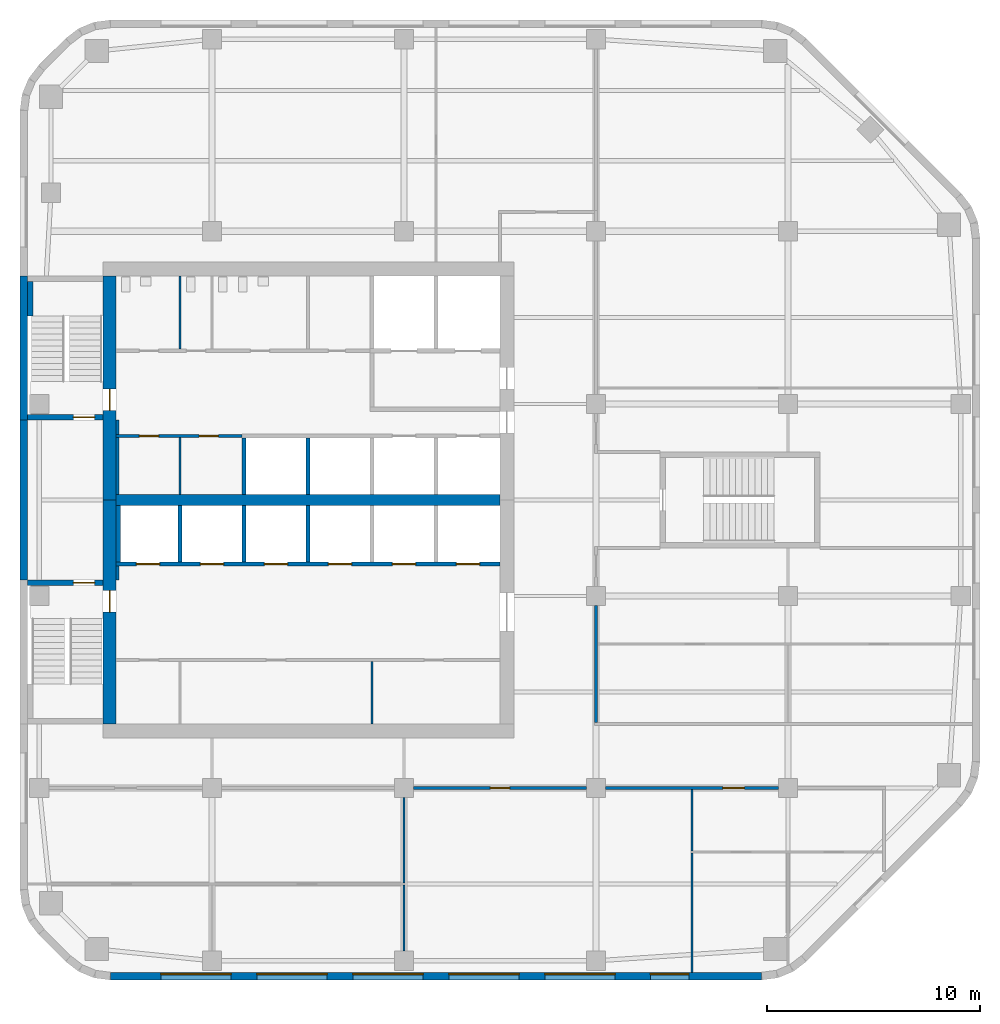
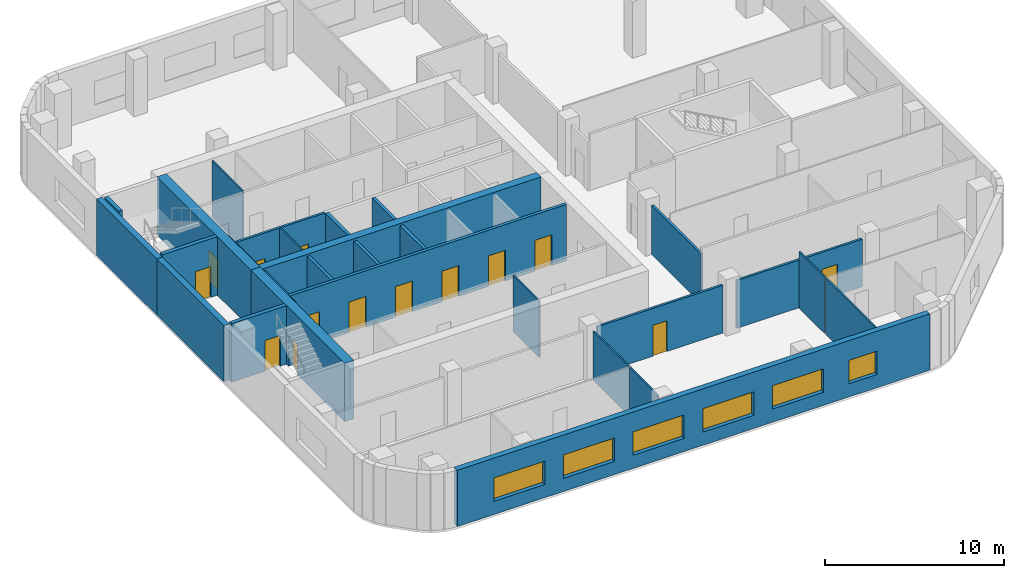
# One storey, part 3 of 7: 30 walls, 14 doors, 6 windows, 20 openings.
"""IFC4 building model written with IfcOpenShell, lengths in metres."""

import ifcopenshell
import ifcopenshell.guid

model = None  # the IFC model being written
_history = None  # IfcOwnerHistory: only IFC2X3 demands one
_inside = {}  # id of a spatial element -> (the spatial element, [elements in it])
_under = {}  # id of a project, library or spatial element -> (it, [spatial elements below it])
_declared = {}  # id of a project -> (the project, [libraries it declares])
_typed = {}  # id of a type object -> (the type object, [elements of that type])
_made_of = {}  # id of a material, layer set ... -> (it, [elements and type objects made of it])


def new_model(schema):
    """Start an empty IFC model of exactly this schema.

    Asked for "IFC4X3", IfcOpenShell would pick the latest addendum, in which some entities
    have other attributes; the version numbers below select the first issue.
    IFC2X3 requires an IfcOwnerHistory on every rooted entity: one is made here for all.
    """
    global model, _history
    if schema == "IFC4X3":
        model = ifcopenshell.file(schema_version=(4, 3, 0, 0))
    else:
        model = ifcopenshell.file(schema=schema)
    _inside.clear()
    _under.clear()
    _declared.clear()
    _typed.clear()
    _made_of.clear()
    _history = None
    if model.schema == "IFC2X3":
        org = make("IfcOrganization", Name="unknown")
        user = make(
            "IfcPersonAndOrganization",
            ThePerson=make("IfcPerson", FamilyName="unknown"),
            TheOrganization=org,
        )
        app = make(
            "IfcApplication",
            ApplicationDeveloper=org,
            Version="unknown",
            ApplicationFullName="unknown",
            ApplicationIdentifier="unknown",
        )
        _history = make(
            "IfcOwnerHistory",
            OwningUser=user,
            OwningApplication=app,
            ChangeAction="ADDED",
            CreationDate=0,
        )
    return model


def make(cls, **values):
    """One entity of the class cls with the attributes given. An attribute that is None is left unset."""
    return model.create_entity(
        cls, **{name: value for name, value in values.items() if value is not None}
    )


def rooted(cls, **values):
    """An entity with a GlobalId (a new one), such as an element, a storey or a relation."""
    return make(cls, GlobalId=ifcopenshell.guid.new(), OwnerHistory=_history, **values)


def si_unit(unit_type, name, prefix=None):
    """IfcSIUnit, for example si_unit("LENGTHUNIT", "METRE", prefix="MILLI")."""
    return make("IfcSIUnit", UnitType=unit_type, Prefix=prefix, Name=name)


def assignment(units):
    """IfcUnitAssignment: the units of a project."""
    return None if units is None else make("IfcUnitAssignment", Units=units)


def point(xyz):
    """IfcCartesianPoint."""
    return None if xyz is None else make("IfcCartesianPoint", Coordinates=xyz)


def direction(xyz):
    """IfcDirection."""
    return None if xyz is None else make("IfcDirection", DirectionRatios=xyz)


def frame(location, z_axis=None, x_axis=None):
    """IfcAxis2Placement3D, a coordinate frame: its origin and axes. An axis left out is left unset."""
    return make(
        "IfcAxis2Placement3D",
        Location=point(location),
        Axis=direction(z_axis),
        RefDirection=direction(x_axis),
    )


def frame_2d(location, x_axis=None):
    """IfcAxis2Placement2D, a coordinate frame in the plane: its origin and x axis."""
    return make(
        "IfcAxis2Placement2D", Location=point(location), RefDirection=direction(x_axis)
    )


def origin():
    """The frame at (0, 0, 0) with its axes left unset."""
    return frame((0.0, 0.0, 0.0))


def place(relative_to, where):
    """IfcLocalPlacement: puts the frame where relative to a parent placement (None: the world)."""
    return make(
        "IfcLocalPlacement", PlacementRelTo=relative_to, RelativePlacement=where
    )


def context(
    kind, dimensions, precision=None, world=None, true_north=None, identifier=None
):
    """IfcGeometricRepresentationContext, for example the 3D "Model" context."""
    return make(
        "IfcGeometricRepresentationContext",
        ContextIdentifier=identifier,
        ContextType=kind,
        CoordinateSpaceDimension=dimensions,
        Precision=precision,
        WorldCoordinateSystem=world,
        TrueNorth=true_north,
    )


def subcontext(parent, identifier, kind, view, scale=None):
    """IfcGeometricRepresentationSubContext, for example "Body" below "Model"."""
    return make(
        "IfcGeometricRepresentationSubContext",
        ContextIdentifier=identifier,
        ContextType=kind,
        ParentContext=parent,
        TargetScale=scale,
        TargetView=view,
    )


def project(units=None, contexts=None):
    """IfcProject with its units and contexts."""
    return rooted(
        "IfcProject",
        Name="project",
        RepresentationContexts=contexts,
        UnitsInContext=assignment(units),
    )


def spatial(cls, under=None, at=None, **own):
    """A site, building, storey or space (cls), placed at a placement, below another one or the project."""
    s = rooted(cls, ObjectPlacement=at, **own)
    if under is not None:
        _under.setdefault(under.id(), (under, []))[1].append(s)
    return s


def profile(cls, at=None, kind="AREA", **sizes):
    """A parametric profile (cls). Its sizes go by their IFC names, for example OverallWidth=200.0."""
    return make(cls, ProfileType=kind, Position=at, **sizes)


def rectangle(**sizes):
    """IfcRectangleProfileDef."""
    return profile("IfcRectangleProfileDef", **sizes)


def extrude(swept, where, along, depth):
    """IfcExtrudedAreaSolid: the profile swept, set in the frame where, extruded along a direction by depth."""
    return make(
        "IfcExtrudedAreaSolid",
        SweptArea=swept,
        Position=where,
        ExtrudedDirection=direction(along),
        Depth=depth,
    )


def shape(context_of_items, identifier, shape_type, items):
    """IfcShapeRepresentation: the items that make up one representation, for example the "Body"."""
    return make(
        "IfcShapeRepresentation",
        ContextOfItems=context_of_items,
        RepresentationIdentifier=identifier,
        RepresentationType=shape_type,
        Items=items,
    )


def material(Name=None, Category=None):
    """IfcMaterial."""
    return make("IfcMaterial", Name=Name, Category=Category)


def layer(
    of_material, thickness, ventilated=None, Name=None, Category=None, Priority=None
):
    """IfcMaterialLayer: one layer of a wall or slab, of a material (None: an air gap)."""
    return make(
        "IfcMaterialLayer",
        Material=of_material,
        LayerThickness=thickness,
        IsVentilated=ventilated,
        Name=Name,
        Category=Category,
        Priority=Priority,
    )


def layer_set(layers, Name=None):
    """IfcMaterialLayerSet."""
    return make("IfcMaterialLayerSet", MaterialLayers=layers, LayerSetName=Name)


def made_of(thing, what):
    """Note that an element or type object is made of a material, layer set ...; save() writes the relation."""
    if what is not None:
        _made_of.setdefault(what.id(), (what, []))[1].append(thing)
    return thing


def type_object(cls, material=None, **own):
    """A type object (cls), such as IfcWallType, which elements share."""
    return made_of(rooted(cls, **own), material)


def element(
    cls,
    number,
    at=None,
    inside=None,
    cuts=None,
    type_object=None,
    material=None,
    context=None,
    identifier="Body",
    shape_type=None,
    held_by="IfcProductDefinitionShape",
    body=None,
    shapes=None,
    **own,
):
    """One element of the class cls, such as IfcWall. Its Tag is "e" and its number.

    at: its placement. inside: the storey or other place that contains it. cuts: it is an
    opening in that element (IfcRelVoidsElement). A single representation is given by context,
    identifier, shape_type and body (its items); several are given by shapes. held_by: the class
    of the entity that holds the representations. save() writes the other relations.
    """
    e = rooted(cls, Tag="e%d" % number, ObjectPlacement=at, **own)
    if body is not None:
        shapes = [shape(context, identifier, shape_type, body)]
    if shapes is not None:
        e.Representation = make(held_by, Representations=shapes)
    if inside is not None:
        _inside.setdefault(inside.id(), (inside, []))[1].append(e)
    if cuts is not None:
        rooted(
            "IfcRelVoidsElement", RelatingBuildingElement=cuts, RelatedOpeningElement=e
        )
    if type_object is not None:
        _typed.setdefault(type_object.id(), (type_object, []))[1].append(e)
    return made_of(e, material)


def fill(opening, filler):
    """IfcRelFillsElement: the door or window that sits in an opening."""
    return rooted(
        "IfcRelFillsElement",
        RelatingOpeningElement=opening,
        RelatedBuildingElement=filler,
    )


def aggregate(whole, parts):
    """IfcRelAggregates: a whole, such as a stair, and the parts it consists of."""
    return rooted("IfcRelAggregates", RelatingObject=whole, RelatedObjects=parts)


def save(model, path):
    """Write the relations noted so far, then the file.

    IfcRelAggregates (storeys below a building ...), IfcRelContainedInSpatialStructure (elements
    in a storey), IfcRelDefinesByType, IfcRelAssociatesMaterial and IfcRelDeclares: one each for
    every whole, place, type object, material and project.
    """
    for whole, parts in _under.values():
        aggregate(whole, parts)
    for where, things in _inside.values():
        rooted(
            "IfcRelContainedInSpatialStructure",
            RelatedElements=things,
            RelatingStructure=where,
        )
    for kind, things in _typed.values():
        rooted("IfcRelDefinesByType", RelatedObjects=things, RelatingType=kind)
    for what, things in _made_of.values():
        rooted("IfcRelAssociatesMaterial", RelatedObjects=things, RelatingMaterial=what)
    for by, libraries in _declared.values():
        rooted("IfcRelDeclares", RelatingContext=by, RelatedDefinitions=libraries)
    model.write(path)


model = new_model("IFC4")

# Units and contexts
model_context = context("Model", 3, precision=1e-05, world=origin(), true_north=direction((0.0, 1.0)))
body_context = subcontext(model_context, "Body", "Model", "MODEL_VIEW")
ifc_project = project(units=[si_unit("LENGTHUNIT", "METRE"), si_unit("AREAUNIT", "SQUARE_METRE"), si_unit("VOLUMEUNIT", "CUBIC_METRE"), si_unit("PLANEANGLEUNIT", "RADIAN"), si_unit("MASSUNIT", "GRAM", prefix="KILO")], contexts=[model_context])

# Site, building, storey
site_placement = place(None, origin())
site = spatial("IfcSite", under=ifc_project, at=site_placement, CompositionType="ELEMENT")
building_placement = place(site_placement, origin())
building = spatial("IfcBuilding", under=site, at=building_placement, Name="Cinnabar Reach Civic Tower", CompositionType="ELEMENT")
storey_placement = place(building_placement, frame((0.0, 0.0, 169.0)))
storey = spatial("IfcBuildingStorey", under=building, at=storey_placement, Name="L40", CompositionType="ELEMENT", Elevation=169.0)

# Wall, openings, windows
ifc_material_1 = material(Name="Facing brick with insulated backing", Category="masonry")
ifc_layer_1 = layer(ifc_material_1, 0.36)
ifc_layer_set_1 = layer_set([ifc_layer_1], Name="Brick pier and spandrel wall")
wall_type_1 = type_object("IfcWallType", Name="Brick pier and spandrel wall", PredefinedType="STANDARD", material=ifc_layer_set_1)
wall_1_placement = place(storey_placement, frame((4.2426, 9.18, 0.0), z_axis=(0.0, 0.0, 1.0), x_axis=(1.0, 0.0, 0.0)))
wall_1 = element("IfcWall", 1, at=wall_1_placement, inside=storey, type_object=wall_type_1, Name="Brick facade wall", PredefinedType="STANDARD", context=body_context, shape_type="SweptSolid", body=[
    extrude(rectangle(XDim=30.5148, YDim=0.36, at=frame_2d((15.2574, 0.0))), origin(), (0.0, 0.0, 1.0), 3.85),
])
opening_1_placement = place(wall_1_placement, frame((2.3574, 0.0, 0.9)))
opening_1 = element("IfcOpeningElement", 2, at=opening_1_placement, cuts=wall_1, Name="Opening W1821", PredefinedType="OPENING", context=body_context, shape_type="SweptSolid", body=[
    extrude(rectangle(XDim=3.3, YDim=1.6, at=frame_2d((1.65, 0.8))), frame((0.0, 0.19, 0.0), z_axis=(0.0, -1.0, 0.0), x_axis=(1.0, 0.0, 0.0)), (0.0, 0.0, 1.0), 0.38),
])
opening_2_placement = place(wall_1_placement, frame((6.8574, 0.0, 0.9)))
opening_2 = element("IfcOpeningElement", 3, at=opening_2_placement, cuts=wall_1, Name="Opening W1822", PredefinedType="OPENING", context=body_context, shape_type="SweptSolid", body=[
    extrude(rectangle(XDim=3.3, YDim=1.6, at=frame_2d((1.65, 0.8))), frame((0.0, 0.19, 0.0), z_axis=(0.0, -1.0, 0.0), x_axis=(1.0, 0.0, 0.0)), (0.0, 0.0, 1.0), 0.38),
])
opening_3_placement = place(wall_1_placement, frame((11.3574, 0.0, 0.9)))
opening_3 = element("IfcOpeningElement", 4, at=opening_3_placement, cuts=wall_1, Name="Opening W1823", PredefinedType="OPENING", context=body_context, shape_type="SweptSolid", body=[
    extrude(rectangle(XDim=3.3, YDim=1.6, at=frame_2d((1.65, 0.8))), frame((0.0, 0.19, 0.0), z_axis=(0.0, -1.0, 0.0), x_axis=(1.0, 0.0, 0.0)), (0.0, 0.0, 1.0), 0.38),
])
opening_4_placement = place(wall_1_placement, frame((15.8574, 0.0, 0.9)))
opening_4 = element("IfcOpeningElement", 5, at=opening_4_placement, cuts=wall_1, Name="Opening W1824", PredefinedType="OPENING", context=body_context, shape_type="SweptSolid", body=[
    extrude(rectangle(XDim=3.3, YDim=1.6, at=frame_2d((1.65, 0.8))), frame((0.0, 0.19, 0.0), z_axis=(0.0, -1.0, 0.0), x_axis=(1.0, 0.0, 0.0)), (0.0, 0.0, 1.0), 0.38),
])
opening_5_placement = place(wall_1_placement, frame((20.3574, 0.0, 0.9)))
opening_5 = element("IfcOpeningElement", 6, at=opening_5_placement, cuts=wall_1, Name="Opening W1825", PredefinedType="OPENING", context=body_context, shape_type="SweptSolid", body=[
    extrude(rectangle(XDim=3.3, YDim=1.6, at=frame_2d((1.65, 0.8))), frame((0.0, 0.19, 0.0), z_axis=(0.0, -1.0, 0.0), x_axis=(1.0, 0.0, 0.0)), (0.0, 0.0, 1.0), 0.38),
])
opening_6_placement = place(wall_1_placement, frame((25.3074, 0.0, 0.9)))
opening_6 = element("IfcOpeningElement", 7, at=opening_6_placement, cuts=wall_1, Name="Opening W1826", PredefinedType="OPENING", context=body_context, shape_type="SweptSolid", body=[
    extrude(rectangle(XDim=1.8, YDim=1.6, at=frame_2d((0.9, 0.8))), frame((0.0, 0.19, 0.0), z_axis=(0.0, -1.0, 0.0), x_axis=(1.0, 0.0, 0.0)), (0.0, 0.0, 1.0), 0.38),
])
ifc_material_2 = material(Name="Clear double glazing in aluminium frame", Category="aluminium")
window_type_1 = type_object("IfcWindowType", Name="Deep-set window A", PartitioningType="SINGLE_PANEL", PredefinedType="WINDOW", material=ifc_material_2)
window_1_placement = place(opening_1_placement, origin())
window_1 = element("IfcWindow", 8, at=window_1_placement, inside=storey, type_object=window_type_1, Name="Window south face", OverallHeight=1.6, OverallWidth=3.3, PartitioningType="SINGLE_PANEL", PredefinedType="WINDOW", context=body_context, shape_type="SweptSolid", body=[
    extrude(rectangle(XDim=3.3, YDim=1.6, at=frame_2d((1.65, 0.8))), frame((0.0, 0.13, 0.0), z_axis=(0.0, -1.0, 0.0), x_axis=(1.0, 0.0, 0.0)), (0.0, 0.0, 1.0), 0.06),
])
fill(opening_1, window_1)
window_2_placement = place(opening_2_placement, origin())
window_2 = element("IfcWindow", 9, at=window_2_placement, inside=storey, type_object=window_type_1, Name="Window south face", OverallHeight=1.6, OverallWidth=3.3, PartitioningType="SINGLE_PANEL", PredefinedType="WINDOW", context=body_context, shape_type="SweptSolid", body=[
    extrude(rectangle(XDim=3.3, YDim=1.6, at=frame_2d((1.65, 0.8))), frame((0.0, 0.13, 0.0), z_axis=(0.0, -1.0, 0.0), x_axis=(1.0, 0.0, 0.0)), (0.0, 0.0, 1.0), 0.06),
])
fill(opening_2, window_2)
window_3_placement = place(opening_3_placement, origin())
window_3 = element("IfcWindow", 10, at=window_3_placement, inside=storey, type_object=window_type_1, Name="Window south face", OverallHeight=1.6, OverallWidth=3.3, PartitioningType="SINGLE_PANEL", PredefinedType="WINDOW", context=body_context, shape_type="SweptSolid", body=[
    extrude(rectangle(XDim=3.3, YDim=1.6, at=frame_2d((1.65, 0.8))), frame((0.0, 0.13, 0.0), z_axis=(0.0, -1.0, 0.0), x_axis=(1.0, 0.0, 0.0)), (0.0, 0.0, 1.0), 0.06),
])
fill(opening_3, window_3)
window_4_placement = place(opening_4_placement, origin())
window_4 = element("IfcWindow", 11, at=window_4_placement, inside=storey, type_object=window_type_1, Name="Window south face", OverallHeight=1.6, OverallWidth=3.3, PartitioningType="SINGLE_PANEL", PredefinedType="WINDOW", context=body_context, shape_type="SweptSolid", body=[
    extrude(rectangle(XDim=3.3, YDim=1.6, at=frame_2d((1.65, 0.8))), frame((0.0, 0.13, 0.0), z_axis=(0.0, -1.0, 0.0), x_axis=(1.0, 0.0, 0.0)), (0.0, 0.0, 1.0), 0.06),
])
fill(opening_4, window_4)
window_5_placement = place(opening_5_placement, origin())
window_5 = element("IfcWindow", 12, at=window_5_placement, inside=storey, type_object=window_type_1, Name="Window south face", OverallHeight=1.6, OverallWidth=3.3, PartitioningType="SINGLE_PANEL", PredefinedType="WINDOW", context=body_context, shape_type="SweptSolid", body=[
    extrude(rectangle(XDim=3.3, YDim=1.6, at=frame_2d((1.65, 0.8))), frame((0.0, 0.13, 0.0), z_axis=(0.0, -1.0, 0.0), x_axis=(1.0, 0.0, 0.0)), (0.0, 0.0, 1.0), 0.06),
])
fill(opening_5, window_5)
window_type_2 = type_object("IfcWindowType", Name="Deep-set window D", PartitioningType="SINGLE_PANEL", PredefinedType="WINDOW", material=ifc_material_2)
window_6_placement = place(opening_6_placement, origin())
window_6 = element("IfcWindow", 13, at=window_6_placement, inside=storey, type_object=window_type_2, Name="Window south face", OverallHeight=1.6, OverallWidth=1.8, PartitioningType="SINGLE_PANEL", PredefinedType="WINDOW", context=body_context, shape_type="SweptSolid", body=[
    extrude(rectangle(XDim=1.8, YDim=1.6, at=frame_2d((0.9, 0.8))), frame((0.0, 0.13, 0.0), z_axis=(0.0, -1.0, 0.0), x_axis=(1.0, 0.0, 0.0)), (0.0, 0.0, 1.0), 0.06),
])
fill(opening_6, window_6)

# Walls
wall_2_placement = place(storey_placement, frame((0.18, 42.0, 0.0), z_axis=(0.0, 0.0, 1.0), x_axis=(0.0, -1.0, 0.0)))
element("IfcWall", 14, at=wall_2_placement, inside=storey, type_object=wall_type_1, Name="Brick facade wall", PredefinedType="STANDARD", context=body_context, shape_type="SweptSolid", body=[
    extrude(rectangle(XDim=6.75, YDim=0.36, at=frame_2d((3.375, 0.0))), origin(), (0.0, 0.0, 1.0), 3.85),
])
wall_3_placement = place(storey_placement, frame((0.18, 35.25, 0.0), z_axis=(0.0, 0.0, 1.0), x_axis=(0.0, -1.0, 0.0)))
element("IfcWall", 15, at=wall_3_placement, inside=storey, type_object=wall_type_1, Name="Brick facade wall", PredefinedType="STANDARD", context=body_context, shape_type="SweptSolid", body=[
    extrude(rectangle(XDim=7.5, YDim=0.36, at=frame_2d((3.75, 0.0))), origin(), (0.0, 0.0, 1.0), 3.85),
])
ifc_material_3 = material(Name="Concrete C60", Category="concrete")
ifc_layer_2 = layer(ifc_material_3, 0.5)
ifc_layer_set_2 = layer_set([ifc_layer_2], Name="Core wall 500 EI 180")
wall_type_2 = type_object("IfcWallType", Name="Core wall 500 EI 180", PredefinedType="SOLIDWALL", material=ifc_layer_set_2)
wall_4_placement = place(storey_placement, frame((4.5, 31.5, 0.0), z_axis=(0.0, 0.0, 1.0), x_axis=(1.0, 0.0, 0.0)))
element("IfcWall", 16, at=wall_4_placement, inside=storey, type_object=wall_type_2, Name="Core spine wall T1 L40", PredefinedType="SOLIDWALL", context=body_context, shape_type="SweptSolid", body=[
    extrude(rectangle(XDim=18.0, YDim=0.5, at=frame_2d((9.0, 0.0))), origin(), (0.0, 0.0, 1.0), 4.0),
])

# Wall, opening, door
ifc_material_4 = material(Name="Concrete C70", Category="concrete")
ifc_layer_3 = layer(ifc_material_4, 0.6)
ifc_layer_set_3 = layer_set([ifc_layer_3], Name="Core wall 600 EI 180")
wall_type_3 = type_object("IfcWallType", Name="Core wall 600 EI 180", PredefinedType="SOLIDWALL", material=ifc_layer_set_3)
wall_5_placement = place(storey_placement, frame((4.2, 42.0, 0.0), z_axis=(0.0, 0.0, 1.0), x_axis=(0.0, -1.0, 0.0)))
wall_5 = element("IfcWall", 17, at=wall_5_placement, inside=storey, type_object=wall_type_3, Name="Core wall T1 L40 W", PredefinedType="SOLIDWALL", context=body_context, shape_type="SweptSolid", body=[
    extrude(rectangle(XDim=10.5, YDim=0.6, at=frame_2d((5.25, 0.0))), origin(), (0.0, 0.0, 1.0), 4.0),
])
opening_7_placement = place(wall_5_placement, frame((5.3, 0.0, 0.0)))
opening_7 = element("IfcOpeningElement", 18, at=opening_7_placement, cuts=wall_5, Name="Opening D4628", PredefinedType="OPENING", context=body_context, shape_type="SweptSolid", body=[
    extrude(rectangle(XDim=1.0, YDim=2.1, at=frame_2d((0.5, 1.05))), frame((0.0, 0.31, 0.0), z_axis=(0.0, -1.0, 0.0), x_axis=(1.0, 0.0, 0.0)), (0.0, 0.0, 1.0), 0.62),
])
ifc_material_5 = material(Name="Timber door leaf in steel frame", Category="steel")
door_type_1 = type_object("IfcDoorType", Name="Stair door 1000 x 2100 T1", OperationType="SINGLE_SWING_LEFT", PredefinedType="DOOR", material=ifc_material_5)
door_1_placement = place(opening_7_placement, frame((1.0, 0.0, 0.0), z_axis=(0.0, 0.0, 1.0), x_axis=(-1.0, 0.0, 0.0)))
door_1 = element("IfcDoor", 19, at=door_1_placement, inside=storey, type_object=door_type_1, Name="Door D4628", OperationType="SINGLE_SWING_LEFT", OverallHeight=2.1, OverallWidth=1.0, PredefinedType="DOOR", context=body_context, shape_type="SweptSolid", body=[
    extrude(rectangle(XDim=1.0, YDim=2.1, at=frame_2d((0.5, 1.05))), frame((0.0, 0.025, 0.0), z_axis=(0.0, -1.0, 0.0), x_axis=(1.0, 0.0, 0.0)), (0.0, 0.0, 1.0), 0.05),
])
fill(opening_7, door_1)

wall_6_placement = place(storey_placement, frame((4.2, 31.5, 0.0), z_axis=(0.0, 0.0, 1.0), x_axis=(0.0, -1.0, 0.0)))
wall_6 = element("IfcWall", 20, at=wall_6_placement, inside=storey, type_object=wall_type_3, Name="Core wall T1 L40 W2", PredefinedType="SOLIDWALL", context=body_context, shape_type="SweptSolid", body=[
    extrude(rectangle(XDim=10.5, YDim=0.6, at=frame_2d((5.25, 0.0))), origin(), (0.0, 0.0, 1.0), 4.0),
])
opening_8_placement = place(wall_6_placement, frame((4.25, 0.0, 0.0)))
opening_8 = element("IfcOpeningElement", 21, at=opening_8_placement, cuts=wall_6, Name="Opening D4626", PredefinedType="OPENING", context=body_context, shape_type="SweptSolid", body=[
    extrude(rectangle(XDim=1.0, YDim=2.1, at=frame_2d((0.5, 1.05))), frame((0.0, 0.31, 0.0), z_axis=(0.0, -1.0, 0.0), x_axis=(1.0, 0.0, 0.0)), (0.0, 0.0, 1.0), 0.62),
])
door_2_placement = place(opening_8_placement, frame((1.0, 0.0, 0.0), z_axis=(0.0, 0.0, 1.0), x_axis=(-1.0, 0.0, 0.0)))
door_2 = element("IfcDoor", 22, at=door_2_placement, inside=storey, type_object=door_type_1, Name="Door D4626", OperationType="SINGLE_SWING_RIGHT", OverallHeight=2.1, OverallWidth=1.0, PredefinedType="DOOR", context=body_context, shape_type="SweptSolid", body=[
    extrude(rectangle(XDim=1.0, YDim=2.1, at=frame_2d((0.5, 1.05))), frame((0.0, 0.025, 0.0), z_axis=(0.0, -1.0, 0.0), x_axis=(1.0, 0.0, 0.0)), (0.0, 0.0, 1.0), 0.05),
])
fill(opening_8, door_2)

ifc_material_6 = material(Name="Gypsum board on steel studs, double layer", Category="steel")
ifc_layer_4 = layer(ifc_material_6, 0.15)
ifc_layer_set_4 = layer_set([ifc_layer_4], Name="Corridor wall 150 T1")
wall_type_4 = type_object("IfcWallType", Name="Corridor wall 150 T1", PredefinedType="PARTITIONING", material=ifc_layer_set_4)
wall_7_placement = place(storey_placement, frame((18.45, 18.0, 0.0), z_axis=(0.0, 0.0, 1.0), x_axis=(1.0, 0.0, 0.0)))
wall_7 = element("IfcWall", 23, at=wall_7_placement, inside=storey, type_object=wall_type_4, Name="Corridor wall 20", PredefinedType="PARTITIONING", context=body_context, shape_type="SweptSolid", body=[
    extrude(rectangle(XDim=8.1, YDim=0.15, at=frame_2d((4.05, 0.0))), origin(), (0.0, 0.0, 1.0), 3.262),
])
opening_9_placement = place(wall_7_placement, frame((3.6, 0.0, 0.0)))
opening_9 = element("IfcOpeningElement", 24, at=opening_9_placement, cuts=wall_7, Name="Opening D4661", PredefinedType="OPENING", context=body_context, shape_type="SweptSolid", body=[
    extrude(rectangle(XDim=0.9, YDim=2.1, at=frame_2d((0.45, 1.05))), frame((0.0, 0.085, 0.0), z_axis=(0.0, -1.0, 0.0), x_axis=(1.0, 0.0, 0.0)), (0.0, 0.0, 1.0), 0.17),
])
door_type_2 = type_object("IfcDoorType", Name="Single swing door 900 x 2100 corridor T1", OperationType="SINGLE_SWING_LEFT", PredefinedType="DOOR", material=ifc_material_5)
door_3_placement = place(opening_9_placement, frame((0.9, 0.0, 0.0), z_axis=(0.0, 0.0, 1.0), x_axis=(-1.0, 0.0, 0.0)))
door_3 = element("IfcDoor", 25, at=door_3_placement, inside=storey, type_object=door_type_2, Name="Door D4661", OperationType="SINGLE_SWING_RIGHT", OverallHeight=2.1, OverallWidth=0.9, PredefinedType="DOOR", context=body_context, shape_type="SweptSolid", body=[
    extrude(rectangle(XDim=0.9, YDim=2.1, at=frame_2d((0.45, 1.05))), frame((0.0, 0.025, 0.0), z_axis=(0.0, -1.0, 0.0), x_axis=(1.0, 0.0, 0.0)), (0.0, 0.0, 1.0), 0.05),
])
fill(opening_9, door_3)

wall_8_placement = place(storey_placement, frame((27.45, 18.0, 0.0), z_axis=(0.0, 0.0, 1.0), x_axis=(1.0, 0.0, 0.0)))
wall_8 = element("IfcWall", 26, at=wall_8_placement, inside=storey, type_object=wall_type_4, Name="Corridor wall 21", PredefinedType="PARTITIONING", context=body_context, shape_type="SweptSolid", body=[
    extrude(rectangle(XDim=8.1, YDim=0.15, at=frame_2d((4.05, 0.0))), origin(), (0.0, 0.0, 1.0), 3.262),
])
opening_10_placement = place(wall_8_placement, frame((5.5, 0.0, 0.0)))
opening_10 = element("IfcOpeningElement", 27, at=opening_10_placement, cuts=wall_8, Name="Opening D4662", PredefinedType="OPENING", context=body_context, shape_type="SweptSolid", body=[
    extrude(rectangle(XDim=1.0, YDim=2.1, at=frame_2d((0.5, 1.05))), frame((0.0, 0.085, 0.0), z_axis=(0.0, -1.0, 0.0), x_axis=(1.0, 0.0, 0.0)), (0.0, 0.0, 1.0), 0.17),
])
door_type_3 = type_object("IfcDoorType", Name="Tenancy entrance door 1000 x 2100 T1", OperationType="SINGLE_SWING_LEFT", PredefinedType="DOOR", material=ifc_material_5)
door_4_placement = place(opening_10_placement, frame((1.0, 0.0, 0.0), z_axis=(0.0, 0.0, 1.0), x_axis=(-1.0, 0.0, 0.0)))
door_4 = element("IfcDoor", 28, at=door_4_placement, inside=storey, type_object=door_type_3, Name="Door D4662", OperationType="SINGLE_SWING_RIGHT", OverallHeight=2.1, OverallWidth=1.0, PredefinedType="DOOR", context=body_context, shape_type="SweptSolid", body=[
    extrude(rectangle(XDim=1.0, YDim=2.1, at=frame_2d((0.5, 1.05))), frame((0.0, 0.025, 0.0), z_axis=(0.0, -1.0, 0.0), x_axis=(1.0, 0.0, 0.0)), (0.0, 0.0, 1.0), 0.05),
])
fill(opening_10, door_4)

# Wall
wall_9_placement = place(storey_placement, frame((27.0, 21.075, 0.0), z_axis=(0.0, 0.0, 1.0), x_axis=(0.0, 1.0, 0.0)))
element("IfcWall", 29, at=wall_9_placement, inside=storey, type_object=wall_type_4, Name="Corridor wall 29", PredefinedType="PARTITIONING", context=body_context, shape_type="SweptSolid", body=[
    extrude(rectangle(XDim=5.475, YDim=0.15, at=frame_2d((2.7375, 0.0))), origin(), (0.0, 0.0, 1.0), 3.362),
])

# Wall, openings, doors
wall_10_placement = place(storey_placement, frame((4.5, 34.5, 0.0), z_axis=(0.0, 0.0, 1.0), x_axis=(1.0, 0.0, 0.0)))
wall_10 = element("IfcWall", 30, at=wall_10_placement, inside=storey, type_object=wall_type_4, Name="Corridor wall 31", PredefinedType="PARTITIONING", context=body_context, shape_type="SweptSolid", body=[
    extrude(rectangle(XDim=5.9, YDim=0.15, at=frame_2d((2.95, 0.0))), origin(), (0.0, 0.0, 1.0), 3.85),
])
opening_11_placement = place(wall_10_placement, frame((1.1, 0.0, 0.0)))
opening_11 = element("IfcOpeningElement", 31, at=opening_11_placement, cuts=wall_10, Name="Opening D4647", PredefinedType="OPENING", context=body_context, shape_type="SweptSolid", body=[
    extrude(rectangle(XDim=0.9, YDim=2.1, at=frame_2d((0.45, 1.05))), frame((0.0, 0.085, 0.0), z_axis=(0.0, -1.0, 0.0), x_axis=(1.0, 0.0, 0.0)), (0.0, 0.0, 1.0), 0.17),
])
opening_12_placement = place(wall_10_placement, frame((3.9, 0.0, 0.0)))
opening_12 = element("IfcOpeningElement", 32, at=opening_12_placement, cuts=wall_10, Name="Opening D4648", PredefinedType="OPENING", context=body_context, shape_type="SweptSolid", body=[
    extrude(rectangle(XDim=0.9, YDim=2.1, at=frame_2d((0.45, 1.05))), frame((0.0, 0.085, 0.0), z_axis=(0.0, -1.0, 0.0), x_axis=(1.0, 0.0, 0.0)), (0.0, 0.0, 1.0), 0.17),
])
door_5_placement = place(opening_11_placement, frame((0.9, 0.0, 0.0), z_axis=(0.0, 0.0, 1.0), x_axis=(-1.0, 0.0, 0.0)))
door_5 = element("IfcDoor", 33, at=door_5_placement, inside=storey, type_object=door_type_2, Name="Door D4647", OperationType="SINGLE_SWING_LEFT", OverallHeight=2.1, OverallWidth=0.9, PredefinedType="DOOR", context=body_context, shape_type="SweptSolid", body=[
    extrude(rectangle(XDim=0.9, YDim=2.1, at=frame_2d((0.45, 1.05))), frame((0.0, 0.025, 0.0), z_axis=(0.0, -1.0, 0.0), x_axis=(1.0, 0.0, 0.0)), (0.0, 0.0, 1.0), 0.05),
])
fill(opening_11, door_5)
door_6_placement = place(opening_12_placement, frame((0.9, 0.0, 0.0), z_axis=(0.0, 0.0, 1.0), x_axis=(-1.0, 0.0, 0.0)))
door_6 = element("IfcDoor", 34, at=door_6_placement, inside=storey, type_object=door_type_2, Name="Door D4648", OperationType="SINGLE_SWING_LEFT", OverallHeight=2.1, OverallWidth=0.9, PredefinedType="DOOR", context=body_context, shape_type="SweptSolid", body=[
    extrude(rectangle(XDim=0.9, YDim=2.1, at=frame_2d((0.45, 1.05))), frame((0.0, 0.025, 0.0), z_axis=(0.0, -1.0, 0.0), x_axis=(1.0, 0.0, 0.0)), (0.0, 0.0, 1.0), 0.05),
])
fill(opening_12, door_6)

# Walls
wall_11_placement = place(storey_placement, frame((4.575, 34.575, 0.0), z_axis=(0.0, 0.0, 1.0), x_axis=(0.0, 1.0, 0.0)))
element("IfcWall", 35, at=wall_11_placement, inside=storey, type_object=wall_type_4, Name="Corridor wall 34", PredefinedType="PARTITIONING", context=body_context, shape_type="SweptSolid", body=[
    extrude(rectangle(XDim=0.675, YDim=0.15, at=frame_2d((0.3375, 0.0))), origin(), (0.0, 0.0, 1.0), 3.85),
])
wall_12_placement = place(storey_placement, frame((4.575, 31.75, 0.0), z_axis=(0.0, 0.0, 1.0), x_axis=(0.0, 1.0, 0.0)))
element("IfcWall", 36, at=wall_12_placement, inside=storey, type_object=wall_type_4, Name="Corridor wall 35", PredefinedType="PARTITIONING", context=body_context, shape_type="SweptSolid", body=[
    extrude(rectangle(XDim=2.675, YDim=0.15, at=frame_2d((1.3375, 0.0))), origin(), (0.0, 0.0, 1.0), 3.85),
])
wall_13_placement = place(storey_placement, frame((4.575, 27.75, 0.0), z_axis=(0.0, 0.0, 1.0), x_axis=(0.0, 1.0, 0.0)))
element("IfcWall", 37, at=wall_13_placement, inside=storey, type_object=wall_type_4, Name="Corridor wall 39", PredefinedType="PARTITIONING", context=body_context, shape_type="SweptSolid", body=[
    extrude(rectangle(XDim=0.65, YDim=0.15, at=frame_2d((0.325, 0.0))), origin(), (0.0, 0.0, 1.0), 3.85),
])

# Wall, openings, doors
ifc_material_7 = material(Name="Blockwork", Category="masonry")
ifc_layer_5 = layer(ifc_material_7, 0.2)
ifc_layer_set_5 = layer_set([ifc_layer_5], Name="Lift shaft wall 200 T1")
wall_type_5 = type_object("IfcWallType", Name="Lift shaft wall 200 T1", PredefinedType="PARTITIONING", material=ifc_layer_set_5)
wall_14_placement = place(storey_placement, frame((4.5, 28.5, 0.0), z_axis=(0.0, 0.0, 1.0), x_axis=(1.0, 0.0, 0.0)))
wall_14 = element("IfcWall", 38, at=wall_14_placement, inside=storey, type_object=wall_type_5, Name="Lift shaft wall 4", PredefinedType="PARTITIONING", context=body_context, shape_type="SweptSolid", body=[
    extrude(rectangle(XDim=18.0, YDim=0.2, at=frame_2d((9.0, 0.0))), origin(), (0.0, 0.0, 1.0), 3.85),
])
opening_13_placement = place(wall_14_placement, frame((0.95, 0.0, 0.0)))
opening_13 = element("IfcOpeningElement", 39, at=opening_13_placement, cuts=wall_14, Name="Opening D4630", PredefinedType="OPENING", context=body_context, shape_type="SweptSolid", body=[
    extrude(rectangle(XDim=1.1, YDim=2.1, at=frame_2d((0.55, 1.05))), frame((0.0, 0.11, 0.0), z_axis=(0.0, -1.0, 0.0), x_axis=(1.0, 0.0, 0.0)), (0.0, 0.0, 1.0), 0.22),
])
opening_14_placement = place(wall_14_placement, frame((3.95, 0.0, 0.0)))
opening_14 = element("IfcOpeningElement", 40, at=opening_14_placement, cuts=wall_14, Name="Opening D4631", PredefinedType="OPENING", context=body_context, shape_type="SweptSolid", body=[
    extrude(rectangle(XDim=1.1, YDim=2.1, at=frame_2d((0.55, 1.05))), frame((0.0, 0.11, 0.0), z_axis=(0.0, -1.0, 0.0), x_axis=(1.0, 0.0, 0.0)), (0.0, 0.0, 1.0), 0.22),
])
opening_15_placement = place(wall_14_placement, frame((6.95, 0.0, 0.0)))
opening_15 = element("IfcOpeningElement", 41, at=opening_15_placement, cuts=wall_14, Name="Opening D4632", PredefinedType="OPENING", context=body_context, shape_type="SweptSolid", body=[
    extrude(rectangle(XDim=1.1, YDim=2.1, at=frame_2d((0.55, 1.05))), frame((0.0, 0.11, 0.0), z_axis=(0.0, -1.0, 0.0), x_axis=(1.0, 0.0, 0.0)), (0.0, 0.0, 1.0), 0.22),
])
opening_16_placement = place(wall_14_placement, frame((9.95, 0.0, 0.0)))
opening_16 = element("IfcOpeningElement", 42, at=opening_16_placement, cuts=wall_14, Name="Opening D4633", PredefinedType="OPENING", context=body_context, shape_type="SweptSolid", body=[
    extrude(rectangle(XDim=1.1, YDim=2.1, at=frame_2d((0.55, 1.05))), frame((0.0, 0.11, 0.0), z_axis=(0.0, -1.0, 0.0), x_axis=(1.0, 0.0, 0.0)), (0.0, 0.0, 1.0), 0.22),
])
opening_17_placement = place(wall_14_placement, frame((12.95, 0.0, 0.0)))
opening_17 = element("IfcOpeningElement", 43, at=opening_17_placement, cuts=wall_14, Name="Opening D4634", PredefinedType="OPENING", context=body_context, shape_type="SweptSolid", body=[
    extrude(rectangle(XDim=1.1, YDim=2.1, at=frame_2d((0.55, 1.05))), frame((0.0, 0.11, 0.0), z_axis=(0.0, -1.0, 0.0), x_axis=(1.0, 0.0, 0.0)), (0.0, 0.0, 1.0), 0.22),
])
opening_18_placement = place(wall_14_placement, frame((15.95, 0.0, 0.0)))
opening_18 = element("IfcOpeningElement", 44, at=opening_18_placement, cuts=wall_14, Name="Opening D4635", PredefinedType="OPENING", context=body_context, shape_type="SweptSolid", body=[
    extrude(rectangle(XDim=1.1, YDim=2.1, at=frame_2d((0.55, 1.05))), frame((0.0, 0.11, 0.0), z_axis=(0.0, -1.0, 0.0), x_axis=(1.0, 0.0, 0.0)), (0.0, 0.0, 1.0), 0.22),
])
ifc_material_8 = material(Name="Stainless steel sliding door", Category="steel")
door_type_4 = type_object("IfcDoorType", Name="Lift landing door 1100 x 2100 T1", OperationType="SLIDING_TO_LEFT", PredefinedType="DOOR", material=ifc_material_8)
door_7_placement = place(opening_13_placement, origin())
door_7 = element("IfcDoor", 45, at=door_7_placement, inside=storey, type_object=door_type_4, Name="Lift landing door HR1 L40", OperationType="SLIDING_TO_LEFT", OverallHeight=2.1, OverallWidth=1.1, PredefinedType="DOOR", context=body_context, shape_type="SweptSolid", body=[
    extrude(rectangle(XDim=1.1, YDim=2.1, at=frame_2d((0.55, 1.05))), frame((0.0, 0.025, 0.0), z_axis=(0.0, -1.0, 0.0), x_axis=(1.0, 0.0, 0.0)), (0.0, 0.0, 1.0), 0.05),
])
fill(opening_13, door_7)
door_8_placement = place(opening_14_placement, origin())
door_8 = element("IfcDoor", 46, at=door_8_placement, inside=storey, type_object=door_type_4, Name="Lift landing door HR2 L40", OperationType="SLIDING_TO_LEFT", OverallHeight=2.1, OverallWidth=1.1, PredefinedType="DOOR", context=body_context, shape_type="SweptSolid", body=[
    extrude(rectangle(XDim=1.1, YDim=2.1, at=frame_2d((0.55, 1.05))), frame((0.0, 0.025, 0.0), z_axis=(0.0, -1.0, 0.0), x_axis=(1.0, 0.0, 0.0)), (0.0, 0.0, 1.0), 0.05),
])
fill(opening_14, door_8)
door_9_placement = place(opening_15_placement, origin())
door_9 = element("IfcDoor", 47, at=door_9_placement, inside=storey, type_object=door_type_4, Name="Lift landing door HR3 L40", OperationType="SLIDING_TO_LEFT", OverallHeight=2.1, OverallWidth=1.1, PredefinedType="DOOR", context=body_context, shape_type="SweptSolid", body=[
    extrude(rectangle(XDim=1.1, YDim=2.1, at=frame_2d((0.55, 1.05))), frame((0.0, 0.025, 0.0), z_axis=(0.0, -1.0, 0.0), x_axis=(1.0, 0.0, 0.0)), (0.0, 0.0, 1.0), 0.05),
])
fill(opening_15, door_9)
door_10_placement = place(opening_16_placement, origin())
door_10 = element("IfcDoor", 48, at=door_10_placement, inside=storey, type_object=door_type_4, Name="Lift landing door HR4 L40", OperationType="SLIDING_TO_LEFT", OverallHeight=2.1, OverallWidth=1.1, PredefinedType="DOOR", context=body_context, shape_type="SweptSolid", body=[
    extrude(rectangle(XDim=1.1, YDim=2.1, at=frame_2d((0.55, 1.05))), frame((0.0, 0.025, 0.0), z_axis=(0.0, -1.0, 0.0), x_axis=(1.0, 0.0, 0.0)), (0.0, 0.0, 1.0), 0.05),
])
fill(opening_16, door_10)
door_11_placement = place(opening_17_placement, origin())
door_11 = element("IfcDoor", 49, at=door_11_placement, inside=storey, type_object=door_type_4, Name="Lift landing door HR5 L40", OperationType="SLIDING_TO_LEFT", OverallHeight=2.1, OverallWidth=1.1, PredefinedType="DOOR", context=body_context, shape_type="SweptSolid", body=[
    extrude(rectangle(XDim=1.1, YDim=2.1, at=frame_2d((0.55, 1.05))), frame((0.0, 0.025, 0.0), z_axis=(0.0, -1.0, 0.0), x_axis=(1.0, 0.0, 0.0)), (0.0, 0.0, 1.0), 0.05),
])
fill(opening_17, door_11)
door_12_placement = place(opening_18_placement, origin())
door_12 = element("IfcDoor", 50, at=door_12_placement, inside=storey, type_object=door_type_4, Name="Lift landing door HR6 L40", OperationType="SLIDING_TO_LEFT", OverallHeight=2.1, OverallWidth=1.1, PredefinedType="DOOR", context=body_context, shape_type="SweptSolid", body=[
    extrude(rectangle(XDim=1.1, YDim=2.1, at=frame_2d((0.55, 1.05))), frame((0.0, 0.025, 0.0), z_axis=(0.0, -1.0, 0.0), x_axis=(1.0, 0.0, 0.0)), (0.0, 0.0, 1.0), 0.05),
])
fill(opening_18, door_12)

# Walls
for number, where, z_axis, x_axis, name in (
    (51, (10.5, 28.6, 0.0), (0.0, 0.0, 1.0), (0.0, 1.0, 0.0), "Lift shaft wall 6"),
    (52, (10.5, 31.75, 0.0), (0.0, 0.0, 1.0), (0.0, 1.0, 0.0), "Lift shaft wall 7"),
    (53, (13.5, 28.6, 0.0), (0.0, 0.0, 1.0), (0.0, 1.0, 0.0), "Lift shaft wall 8"),
    (54, (13.5, 31.75, 0.0), (0.0, 0.0, 1.0), (0.0, 1.0, 0.0), "Lift shaft wall 9"),
    (55, (4.6, 28.6, 0.0), (0.0, 0.0, 1.0), (0.0, 1.0, 0.0), "Lift shaft wall 16"),
    (56, (7.5, 28.6, 0.0), (0.0, 0.0, 1.0), (0.0, 1.0, 0.0), "Lift shaft wall 17"),
):
    element("IfcWall", number, at=place(storey_placement, frame(where, z_axis=z_axis, x_axis=x_axis)), inside=storey, type_object=wall_type_5, Name=name, PredefinedType="PARTITIONING", context=body_context, shape_type="SweptSolid", body=[
        extrude(rectangle(XDim=2.65, YDim=0.2, at=frame_2d((1.325, 0.0))), origin(), (0.0, 0.0, 1.0), 3.85),
    ])
ifc_material_9 = material(Name="Gypsum board on steel studs", Category="steel")
ifc_layer_6 = layer(ifc_material_9, 0.1)
ifc_layer_set_6 = layer_set([ifc_layer_6], Name="Partition wall 100 T1")
wall_type_6 = type_object("IfcWallType", Name="Partition wall 100 T1", PredefinedType="PARTITIONING", material=ifc_layer_set_6)
wall_15_placement = place(storey_placement, frame((18.0, 10.35, 0.0), z_axis=(0.0, 0.0, 1.0), x_axis=(0.0, 1.0, 0.0)))
element("IfcWall", 57, at=wall_15_placement, inside=storey, type_object=wall_type_6, Name="Partition wall 48", PredefinedType="PARTITIONING", context=body_context, shape_type="SweptSolid", body=[
    extrude(rectangle(XDim=3.1, YDim=0.1, at=frame_2d((1.55, 0.0))), origin(), (0.0, 0.0, 1.0), 3.362),
])
wall_16_placement = place(storey_placement, frame((18.0, 13.55, 0.0), z_axis=(0.0, 0.0, 1.0), x_axis=(0.0, 1.0, 0.0)))
element("IfcWall", 58, at=wall_16_placement, inside=storey, type_object=wall_type_6, Name="Partition wall 49", PredefinedType="PARTITIONING", context=body_context, shape_type="SweptSolid", body=[
    extrude(rectangle(XDim=4.0, YDim=0.1, at=frame_2d((2.0, 0.0))), origin(), (0.0, 0.0, 1.0), 3.362),
])
wall_17_placement = place(storey_placement, frame((31.5, 15.05, 0.0), z_axis=(0.0, 0.0, 1.0), x_axis=(0.0, 1.0, 0.0)))
element("IfcWall", 59, at=wall_17_placement, inside=storey, type_object=wall_type_6, Name="Partition wall 50", PredefinedType="PARTITIONING", context=body_context, shape_type="SweptSolid", body=[
    extrude(rectangle(XDim=2.875, YDim=0.1, at=frame_2d((1.4375, 0.0))), origin(), (0.0, 0.0, 1.0), 3.85),
])
wall_18_placement = place(storey_placement, frame((31.5, 9.36, 0.0), z_axis=(0.0, 0.0, 1.0), x_axis=(0.0, 1.0, 0.0)))
element("IfcWall", 60, at=wall_18_placement, inside=storey, type_object=wall_type_6, Name="Partition wall 51", PredefinedType="PARTITIONING", context=body_context, shape_type="SweptSolid", body=[
    extrude(rectangle(XDim=5.59, YDim=0.1, at=frame_2d((2.795, 0.0))), origin(), (0.0, 0.0, 1.0), 3.85),
])
wall_19_placement = place(storey_placement, frame((7.5, 38.575, 0.0), z_axis=(0.0, 0.0, 1.0), x_axis=(0.0, 1.0, 0.0)))
element("IfcWall", 61, at=wall_19_placement, inside=storey, type_object=wall_type_6, Name="Partition wall 55", PredefinedType="PARTITIONING", context=body_context, shape_type="SweptSolid", body=[
    extrude(rectangle(XDim=3.425, YDim=0.1, at=frame_2d((1.7125, 0.0))), origin(), (0.0, 0.0, 1.0), 3.85),
])
wall_20_placement = place(storey_placement, frame((7.5, 31.75, 0.0), z_axis=(0.0, 0.0, 1.0), x_axis=(0.0, 1.0, 0.0)))
element("IfcWall", 62, at=wall_20_placement, inside=storey, type_object=wall_type_6, Name="Partition wall 58", PredefinedType="PARTITIONING", context=body_context, shape_type="SweptSolid", body=[
    extrude(rectangle(XDim=2.675, YDim=0.1, at=frame_2d((1.3375, 0.0))), origin(), (0.0, 0.0, 1.0), 3.85),
])
wall_21_placement = place(storey_placement, frame((16.5, 21.0, 0.0), z_axis=(0.0, 0.0, 1.0), x_axis=(0.0, 1.0, 0.0)))
element("IfcWall", 63, at=wall_21_placement, inside=storey, type_object=wall_type_6, Name="Partition wall 59", PredefinedType="PARTITIONING", context=body_context, shape_type="SweptSolid", body=[
    extrude(rectangle(XDim=2.925, YDim=0.1, at=frame_2d((1.4625, 0.0))), origin(), (0.0, 0.0, 1.0), 3.85),
])

# Wall, opening, door
ifc_layer_7 = layer(ifc_material_3, 0.25)
ifc_layer_set_7 = layer_set([ifc_layer_7], Name="Stair shaft wall 250 EI 120")
wall_type_7 = type_object("IfcWallType", Name="Stair shaft wall 250 EI 120", PredefinedType="SOLIDWALL", material=ifc_layer_set_7)
wall_22_placement = place(storey_placement, frame((3.9, 27.625, 0.0), z_axis=(0.0, 0.0, 1.0), x_axis=(-1.0, 0.0, 0.0)))
wall_22 = element("IfcWall", 64, at=wall_22_placement, inside=storey, type_object=wall_type_7, Name="Stair shaft wall T1-S1 L40", PredefinedType="SOLIDWALL", context=body_context, shape_type="SweptSolid", body=[
    extrude(rectangle(XDim=3.54, YDim=0.25, at=frame_2d((1.77, 0.0))), origin(), (0.0, 0.0, 1.0), 4.0),
])
opening_19_placement = place(wall_22_placement, frame((0.4, 0.0, 0.0)))
opening_19 = element("IfcOpeningElement", 65, at=opening_19_placement, cuts=wall_22, Name="Opening D4627", PredefinedType="OPENING", context=body_context, shape_type="SweptSolid", body=[
    extrude(rectangle(XDim=1.0, YDim=2.1, at=frame_2d((0.5, 1.05))), frame((0.0, 0.135, 0.0), z_axis=(0.0, -1.0, 0.0), x_axis=(1.0, 0.0, 0.0)), (0.0, 0.0, 1.0), 0.27),
])
door_13_placement = place(opening_19_placement, origin())
door_13 = element("IfcDoor", 66, at=door_13_placement, inside=storey, type_object=door_type_1, Name="Door D4627", OperationType="SINGLE_SWING_LEFT", OverallHeight=2.1, OverallWidth=1.0, PredefinedType="DOOR", context=body_context, shape_type="SweptSolid", body=[
    extrude(rectangle(XDim=1.0, YDim=2.1, at=frame_2d((0.5, 1.05))), frame((0.0, 0.025, 0.0), z_axis=(0.0, -1.0, 0.0), x_axis=(1.0, 0.0, 0.0)), (0.0, 0.0, 1.0), 0.05),
])
fill(opening_19, door_13)

wall_23_placement = place(storey_placement, frame((0.36, 35.375, 0.0), z_axis=(0.0, 0.0, 1.0), x_axis=(1.0, 0.0, 0.0)))
wall_23 = element("IfcWall", 67, at=wall_23_placement, inside=storey, type_object=wall_type_7, Name="Stair shaft wall T1-S2 L40", PredefinedType="SOLIDWALL", context=body_context, shape_type="SweptSolid", body=[
    extrude(rectangle(XDim=3.54, YDim=0.25, at=frame_2d((1.77, 0.0))), origin(), (0.0, 0.0, 1.0), 4.0),
])
opening_20_placement = place(wall_23_placement, frame((2.14, 0.0, 0.0)))
opening_20 = element("IfcOpeningElement", 68, at=opening_20_placement, cuts=wall_23, Name="Opening D4629", PredefinedType="OPENING", context=body_context, shape_type="SweptSolid", body=[
    extrude(rectangle(XDim=1.0, YDim=2.1, at=frame_2d((0.5, 1.05))), frame((0.0, 0.135, 0.0), z_axis=(0.0, -1.0, 0.0), x_axis=(1.0, 0.0, 0.0)), (0.0, 0.0, 1.0), 0.27),
])
door_14_placement = place(opening_20_placement, origin())
door_14 = element("IfcDoor", 69, at=door_14_placement, inside=storey, type_object=door_type_1, Name="Door D4629", OperationType="SINGLE_SWING_RIGHT", OverallHeight=2.1, OverallWidth=1.0, PredefinedType="DOOR", context=body_context, shape_type="SweptSolid", body=[
    extrude(rectangle(XDim=1.0, YDim=2.1, at=frame_2d((0.5, 1.05))), frame((0.0, 0.025, 0.0), z_axis=(0.0, -1.0, 0.0), x_axis=(1.0, 0.0, 0.0)), (0.0, 0.0, 1.0), 0.05),
])
fill(opening_20, door_14)

# Wall
ifc_material_10 = material(Name="Concrete C40/50", Category="concrete")
ifc_layer_8 = layer(ifc_material_10, 0.24)
ifc_layer_set_8 = layer_set([ifc_layer_8], Name="T1 landing bearer wall 240")
wall_type_8 = type_object("IfcWallType", Name="T1 landing bearer wall 240", PredefinedType="STANDARD", material=ifc_layer_set_8)
wall_24_placement = place(storey_placement, frame((0.48, 40.13, 0.0), z_axis=(0.0, 0.0, 1.0), x_axis=(0.0, 1.0, 0.0)))
element("IfcWall", 70, at=wall_24_placement, inside=storey, type_object=wall_type_8, Name="T1-S2 landing bearer wall", PredefinedType="STANDARD", context=body_context, shape_type="SweptSolid", body=[
    extrude(rectangle(XDim=1.62, YDim=0.24, at=frame_2d((0.81, 0.0))), origin(), (0.0, 0.0, 1.0), 4.0),
])

save(model, "model.ifc")
